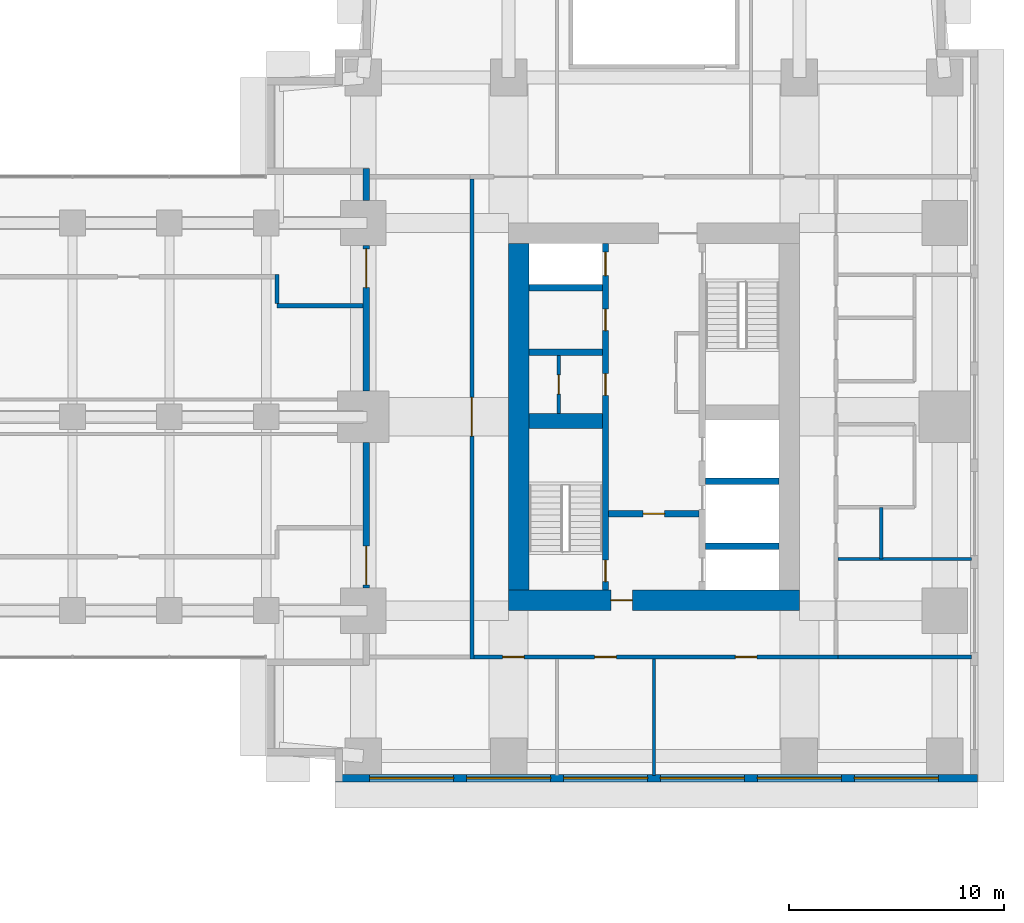
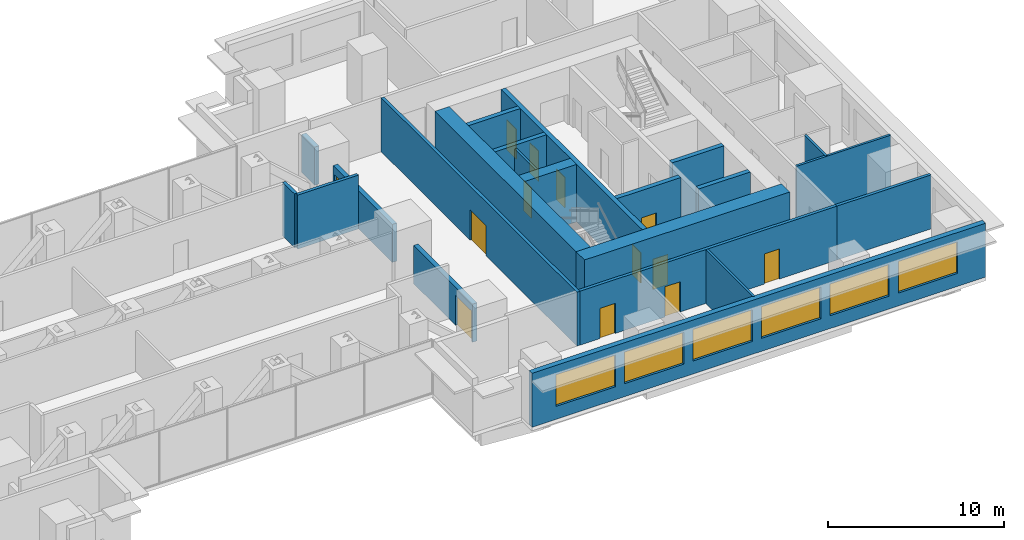
# One storey, part 10 of 14: 22 walls, 13 doors, 6 windows, 19 openings.
"""IFC4 building model written with IfcOpenShell, lengths in metres."""

from ifc_helpers import new_model, si_unit, direction, frame, frame_2d, origin, place, context, subcontext, project, spatial, rectangle, extrude, material, layer, layer_set, type_object, element, fill, save


model = new_model("IFC4")

# Units and contexts
model_context = context("Model", 3, precision=1e-05, world=origin(), true_north=direction((0.0, 1.0)))
body_context = subcontext(model_context, "Body", "Model", "MODEL_VIEW")
ifc_project = project(units=[si_unit("LENGTHUNIT", "METRE"), si_unit("AREAUNIT", "SQUARE_METRE"), si_unit("VOLUMEUNIT", "CUBIC_METRE"), si_unit("PLANEANGLEUNIT", "RADIAN"), si_unit("MASSUNIT", "GRAM", prefix="KILO")], contexts=[model_context])

# Site, building, storey
site_placement = place(None, origin())
site = spatial("IfcSite", under=ifc_project, at=site_placement, CompositionType="ELEMENT")
building_placement = place(site_placement, origin())
building = spatial("IfcBuilding", under=site, at=building_placement, Name="Namib Vertical Campus", CompositionType="ELEMENT")
storey_placement = place(building_placement, frame((0.0, 0.0, 133.0)))
storey = spatial("IfcBuildingStorey", under=building, at=storey_placement, Name="L31", CompositionType="ELEMENT", Elevation=133.0)

# Wall, openings, doors
ifc_material_1 = material(Name="Concrete C60/75", Category="concrete")
ifc_layer_1 = layer(ifc_material_1, 0.300048828125)
ifc_layer_set_1 = layer_set([ifc_layer_1], Name="Concrete C60/75")
wall_type_1 = type_object("IfcWallType", Name="Core inner wall 300", PredefinedType="SHEAR", material=ifc_layer_set_1)
wall_1_placement = place(storey_placement, frame((78.75, 12.199951171875, 0.0), z_axis=(0.0, 0.0, 1.0), x_axis=(0.0, 1.0, 0.0)))
wall_1 = element("IfcWall", 1, at=wall_1_placement, inside=storey, type_object=wall_type_1, Name="Core inner wall B L31 W1", PredefinedType="SHEAR", context=body_context, shape_type="SweptSolid", body=[
    extrude(rectangle(XDim=16.10009765625, YDim=0.300048828125, at=frame_2d((8.050048828125, 0.0))), origin(), (0.0, 0.0, 1.0), 4.0),
])
opening_1_placement = place(wall_1_placement, frame((0.39990234375, 0.0, 0.0)))
opening_1 = element("IfcOpeningElement", 2, at=opening_1_placement, cuts=wall_1, Name="Opening FD1", PredefinedType="OPENING", context=body_context, shape_type="SweptSolid", body=[
    extrude(rectangle(XDim=1.0, YDim=2.10009765625, at=frame_2d((0.5, 1.050048828125))), frame((0.0, 0.159912109375, 0.0), z_axis=(0.0, -1.0, 0.0), x_axis=(1.0, 0.0, 0.0)), (0.0, 0.0, 1.0), 0.320068359375),
])
opening_2_placement = place(wall_1_placement, frame((14.60009765625, 0.0, 0.0)))
opening_2 = element("IfcOpeningElement", 3, at=opening_2_placement, cuts=wall_1, Name="Opening LD1", PredefinedType="OPENING", context=body_context, shape_type="SweptSolid", body=[
    extrude(rectangle(XDim=1.10009765625, YDim=2.10009765625, at=frame_2d((0.550048828125, 1.050048828125))), frame((0.0, 0.159912109375, 0.0), z_axis=(0.0, -1.0, 0.0), x_axis=(1.0, 0.0, 0.0)), (0.0, 0.0, 1.0), 0.320068359375),
])
opening_3_placement = place(wall_1_placement, frame((9.050048828125, 0.0, 0.0)))
opening_3 = element("IfcOpeningElement", 4, at=opening_3_placement, cuts=wall_1, Name="Opening D1", PredefinedType="OPENING", context=body_context, shape_type="SweptSolid", body=[
    extrude(rectangle(XDim=1.0, YDim=2.10009765625, at=frame_2d((0.5, 1.050048828125))), frame((0.0, 0.159912109375, 0.0), z_axis=(0.0, -1.0, 0.0), x_axis=(1.0, 0.0, 0.0)), (0.0, 0.0, 1.0), 0.320068359375),
])
opening_4_placement = place(wall_1_placement, frame((12.050048828125, 0.0, 0.0)))
opening_4 = element("IfcOpeningElement", 5, at=opening_4_placement, cuts=wall_1, Name="Opening D1", PredefinedType="OPENING", context=body_context, shape_type="SweptSolid", body=[
    extrude(rectangle(XDim=1.0, YDim=2.10009765625, at=frame_2d((0.5, 1.050048828125))), frame((0.0, 0.159912109375, 0.0), z_axis=(0.0, -1.0, 0.0), x_axis=(1.0, 0.0, 0.0)), (0.0, 0.0, 1.0), 0.320068359375),
])
ifc_material_2 = material(Name="Timber door leaf", Category="wood")
door_type_1 = type_object("IfcDoorType", Name="Door single 1000x2100", OperationType="SINGLE_SWING_LEFT", PredefinedType="DOOR", material=ifc_material_2)
door_1_placement = place(opening_3_placement, origin())
door_1 = element("IfcDoor", 6, at=door_1_placement, inside=storey, type_object=door_type_1, Name="Door D1 Records store B L31 P1", OperationType="SINGLE_SWING_LEFT", OverallHeight=2.10009765625, OverallWidth=1.0, PredefinedType="DOOR", context=body_context, shape_type="SweptSolid", body=[
    extrude(rectangle(XDim=1.0, YDim=2.10009765625, at=frame_2d((0.5, 1.050048828125))), frame((0.0, 0.02490234375, 0.0), z_axis=(0.0, -1.0, 0.0), x_axis=(1.0, 0.0, 0.0)), (0.0, 0.0, 1.0), 0.050048828125),
])
fill(opening_3, door_1)
door_2_placement = place(opening_4_placement, origin())
door_2 = element("IfcDoor", 7, at=door_2_placement, inside=storey, type_object=door_type_1, Name="Door D1 Staff pantry B L31 P2", OperationType="SINGLE_SWING_LEFT", OverallHeight=2.10009765625, OverallWidth=1.0, PredefinedType="DOOR", context=body_context, shape_type="SweptSolid", body=[
    extrude(rectangle(XDim=1.0, YDim=2.10009765625, at=frame_2d((0.5, 1.050048828125))), frame((0.0, 0.02490234375, 0.0), z_axis=(0.0, -1.0, 0.0), x_axis=(1.0, 0.0, 0.0)), (0.0, 0.0, 1.0), 0.050048828125),
])
fill(opening_4, door_2)
ifc_material_3 = material(Name="Steel fire door", Category="steel")
door_type_2 = type_object("IfcDoorType", Name="Fire door 1000x2100", OperationType="SINGLE_SWING_RIGHT", PredefinedType="DOOR", material=ifc_material_3)
door_3_placement = place(opening_1_placement, origin())
door_3 = element("IfcDoor", 8, at=door_3_placement, inside=storey, type_object=door_type_2, Name="Stair door FD1 B L31 S1", OperationType="SINGLE_SWING_LEFT", OverallHeight=2.10009765625, OverallWidth=1.0, PredefinedType="DOOR", context=body_context, shape_type="SweptSolid", body=[
    extrude(rectangle(XDim=1.0, YDim=2.10009765625, at=frame_2d((0.5, 1.050048828125))), frame((0.0, 0.02490234375, 0.0), z_axis=(0.0, -1.0, 0.0), x_axis=(1.0, 0.0, 0.0)), (0.0, 0.0, 1.0), 0.050048828125),
])
fill(opening_1, door_3)
ifc_material_4 = material(Name="Stainless steel lift door", Category="steel")
door_type_3 = type_object("IfcDoorType", Name="Lift landing door 1100x2100", OperationType="DOUBLE_DOOR_SLIDING", PredefinedType="DOOR", material=ifc_material_4)
door_4_placement = place(opening_2_placement, origin())
door_4 = element("IfcDoor", 9, at=door_4_placement, inside=storey, type_object=door_type_3, Name="Lift landing door LD1 B-P3 L31", OperationType="DOUBLE_DOOR_SLIDING", OverallHeight=2.10009765625, OverallWidth=1.10009765625, PredefinedType="DOOR", context=body_context, shape_type="SweptSolid", body=[
    extrude(rectangle(XDim=1.10009765625, YDim=2.10009765625, at=frame_2d((0.550048828125, 1.050048828125))), frame((0.0, 0.02490234375, 0.0), z_axis=(0.0, -1.0, 0.0), x_axis=(1.0, 0.0, 0.0)), (0.0, 0.0, 1.0), 0.050048828125),
])
fill(opening_2, door_4)

# Wall, opening, door
wall_2_placement = place(storey_placement, frame((78.89990234375, 15.75, 0.0), z_axis=(0.0, 0.0, 1.0), x_axis=(1.0, 0.0, 0.0)))
wall_2 = element("IfcWall", 10, at=wall_2_placement, inside=storey, type_object=wall_type_1, Name="Core inner wall B L31 W4", PredefinedType="SHEAR", context=body_context, shape_type="SweptSolid", body=[
    extrude(rectangle(XDim=4.2001953125, YDim=0.300048828125, at=frame_2d((2.10009765625, 0.0))), origin(), (0.0, 0.0, 1.0), 4.0),
])
opening_5_placement = place(wall_2_placement, frame((1.60009765625, 0.0, 0.0)))
opening_5 = element("IfcOpeningElement", 11, at=opening_5_placement, cuts=wall_2, Name="Opening FD5", PredefinedType="OPENING", context=body_context, shape_type="SweptSolid", body=[
    extrude(rectangle(XDim=1.0, YDim=2.10009765625, at=frame_2d((0.5, 1.050048828125))), frame((0.0, 0.159912109375, 0.0), z_axis=(0.0, -1.0, 0.0), x_axis=(1.0, 0.0, 0.0)), (0.0, 0.0, 1.0), 0.320068359375),
])
ifc_material_5 = material(Name="Steel fire door", Category="steel")
door_type_4 = type_object("IfcDoorType", Name="Fire door 1000x2100 120 min", OperationType="SINGLE_SWING_RIGHT", PredefinedType="DOOR", material=ifc_material_5)
door_5_placement = place(opening_5_placement, frame((1.0, 0.0, 0.0), z_axis=(0.0, 0.0, 1.0), x_axis=(-1.0, 0.0, 0.0)))
door_5 = element("IfcDoor", 12, at=door_5_placement, inside=storey, type_object=door_type_4, Name="Lobby door FD5 B L31", OperationType="SINGLE_SWING_RIGHT", OverallHeight=2.10009765625, OverallWidth=1.0, PredefinedType="DOOR", context=body_context, shape_type="SweptSolid", body=[
    extrude(rectangle(XDim=1.0, YDim=2.10009765625, at=frame_2d((0.5, 1.050048828125))), frame((0.0, 0.02490234375, 0.0), z_axis=(0.0, -1.0, 0.0), x_axis=(1.0, 0.0, 0.0)), (0.0, 0.0, 1.0), 0.050048828125),
])
fill(opening_5, door_5)

# Walls
for number, where, z_axis, x_axis, name in (
    (13, (83.39990234375, 14.25, 0.0), (0.0, 0.0, 1.0), (1.0, 0.0, 0.0), "Core inner wall B L31 W5"),
    (14, (83.39990234375, 17.25, 0.0), (0.0, 0.0, 1.0), (1.0, 0.0, 0.0), "Core inner wall B L31 W6"),
    (15, (75.199951171875, 23.25, 0.0), (0.0, 0.0, 1.0), (1.0, 0.0, 0.0), "Core inner wall B L31 W8"),
    (16, (75.199951171875, 26.25, 0.0), (0.0, 0.0, 1.0), (1.0, 0.0, 0.0), "Core inner wall B L31 W9"),
):
    element("IfcWall", number, at=place(storey_placement, frame(where, z_axis=z_axis, x_axis=x_axis)), inside=storey, type_object=wall_type_1, Name=name, PredefinedType="SHEAR", context=body_context, shape_type="SweptSolid", body=[
        extrude(rectangle(XDim=3.400146484375, YDim=0.300048828125, at=frame_2d((1.7001953125, 0.0))), origin(), (0.0, 0.0, 1.0), 4.0),
    ])
ifc_material_6 = material(Name="Concrete C60/75", Category="concrete")
ifc_layer_2 = layer(ifc_material_6, 0.699951171875)
ifc_layer_set_2 = layer_set([ifc_layer_2], Name="Concrete C60/75")
wall_type_2 = type_object("IfcWallType", Name="Core shear wall 700", PredefinedType="SHEAR", material=ifc_layer_set_2)
wall_3_placement = place(storey_placement, frame((75.199951171875, 20.050048828125, 0.0), z_axis=(0.0, 0.0, 1.0), x_axis=(1.0, 0.0, 0.0)))
element("IfcWall", 17, at=wall_3_placement, inside=storey, type_object=wall_type_2, Name="Core shear wall B L31 W3", PredefinedType="SHEAR", context=body_context, shape_type="SweptSolid", body=[
    extrude(rectangle(XDim=3.400146484375, YDim=0.699951171875, at=frame_2d((1.7001953125, 0.0))), origin(), (0.0, 0.0, 1.0), 4.0),
])

# Wall, opening, door
ifc_material_7 = material(Name="Concrete C60/75", Category="concrete")
ifc_layer_3 = layer(ifc_material_7, 0.949951171875)
ifc_layer_set_3 = layer_set([ifc_layer_3], Name="Concrete C60/75")
wall_type_3 = type_object("IfcWallType", Name="Core wall 950", PredefinedType="SHEAR", material=ifc_layer_set_3)
wall_4_placement = place(storey_placement, frame((74.25, 11.72509765625, 0.0), z_axis=(0.0, 0.0, 1.0), x_axis=(1.0, 0.0, 0.0)))
wall_4 = element("IfcWall", 18, at=wall_4_placement, inside=storey, type_object=wall_type_3, Name="Core wall B L31 1", PredefinedType="SHEAR", context=body_context, shape_type="SweptSolid", body=[
    extrude(rectangle(XDim=13.5, YDim=0.949951171875, at=frame_2d((6.75, 0.0))), origin(), (0.0, 0.0, 1.0), 4.0),
])
opening_6_placement = place(wall_4_placement, frame((4.75, 0.0, 0.0)))
opening_6 = element("IfcOpeningElement", 19, at=opening_6_placement, cuts=wall_4, Name="Opening FD5", PredefinedType="OPENING", context=body_context, shape_type="SweptSolid", body=[
    extrude(rectangle(XDim=1.0, YDim=2.10009765625, at=frame_2d((0.5, 1.050048828125))), frame((0.0, 0.48486328125, 0.0), z_axis=(0.0, -1.0, 0.0), x_axis=(1.0, 0.0, 0.0)), (0.0, 0.0, 1.0), 0.969970703125),
])
door_6_placement = place(opening_6_placement, origin())
door_6 = element("IfcDoor", 20, at=door_6_placement, inside=storey, type_object=door_type_4, Name="Firefighting lobby door FD5 B L31", OperationType="SINGLE_SWING_LEFT", OverallHeight=2.10009765625, OverallWidth=1.0, PredefinedType="DOOR", context=body_context, shape_type="SweptSolid", body=[
    extrude(rectangle(XDim=1.0, YDim=2.10009765625, at=frame_2d((0.5, 1.050048828125))), frame((0.0, 0.02490234375, 0.0), z_axis=(0.0, -1.0, 0.0), x_axis=(1.0, 0.0, 0.0)), (0.0, 0.0, 1.0), 0.050048828125),
])
fill(opening_6, door_6)

# Wall
wall_5_placement = place(storey_placement, frame((74.72509765625, 28.300048828125, 0.0), z_axis=(0.0, 0.0, 1.0), x_axis=(0.0, -1.0, 0.0)))
element("IfcWall", 21, at=wall_5_placement, inside=storey, type_object=wall_type_3, Name="Core wall B L31 4", PredefinedType="SHEAR", context=body_context, shape_type="SweptSolid", body=[
    extrude(rectangle(XDim=16.10009765625, YDim=0.949951171875, at=frame_2d((8.050048828125, 0.0))), origin(), (0.0, 0.0, 1.0), 4.0),
])

# Wall, openings, doors
ifc_material_8 = material(Name="Concrete masonry", Category="masonry")
ifc_layer_4 = layer(ifc_material_8, 0.199951171875)
ifc_layer_set_4 = layer_set([ifc_layer_4], Name="Corridor wall 200")
wall_type_4 = type_object("IfcWallType", Name="Corridor wall 200", PredefinedType="SOLIDWALL", material=ifc_layer_set_4)
wall_6_placement = place(storey_placement, frame((72.64990234375, 9.10009765625, 0.0), z_axis=(0.0, 0.0, 1.0), x_axis=(1.0, 0.0, 0.0)))
wall_6 = element("IfcWall", 22, at=wall_6_placement, inside=storey, type_object=wall_type_4, Name="Corridor wall B L31 CS", PredefinedType="SOLIDWALL", context=body_context, shape_type="SweptSolid", body=[
    extrude(rectangle(XDim=16.900146484375, YDim=0.199951171875, at=frame_2d((8.4501953125, 0.0))), origin(), (0.0, 0.0, 1.0), 3.75),
])
opening_7_placement = place(wall_6_placement, frame((1.324951171875, 0.0, 0.0)))
opening_7 = element("IfcOpeningElement", 23, at=opening_7_placement, cuts=wall_6, Name="Opening CD1", PredefinedType="OPENING", context=body_context, shape_type="SweptSolid", body=[
    extrude(rectangle(XDim=1.0, YDim=2.10009765625, at=frame_2d((0.5, 1.050048828125))), frame((0.0, 0.10986328125, 0.0), z_axis=(0.0, -1.0, 0.0), x_axis=(1.0, 0.0, 0.0)), (0.0, 0.0, 1.0), 0.219970703125),
])
opening_8_placement = place(wall_6_placement, frame((5.60009765625, 0.0, 0.0)))
opening_8 = element("IfcOpeningElement", 24, at=opening_8_placement, cuts=wall_6, Name="Opening CD1", PredefinedType="OPENING", context=body_context, shape_type="SweptSolid", body=[
    extrude(rectangle(XDim=1.0, YDim=2.10009765625, at=frame_2d((0.5, 1.050048828125))), frame((0.0, 0.10986328125, 0.0), z_axis=(0.0, -1.0, 0.0), x_axis=(1.0, 0.0, 0.0)), (0.0, 0.0, 1.0), 0.219970703125),
])
opening_9_placement = place(wall_6_placement, frame((12.125, 0.0, 0.0)))
opening_9 = element("IfcOpeningElement", 25, at=opening_9_placement, cuts=wall_6, Name="Opening CD1", PredefinedType="OPENING", context=body_context, shape_type="SweptSolid", body=[
    extrude(rectangle(XDim=1.0, YDim=2.10009765625, at=frame_2d((0.5, 1.050048828125))), frame((0.0, 0.10986328125, 0.0), z_axis=(0.0, -1.0, 0.0), x_axis=(1.0, 0.0, 0.0)), (0.0, 0.0, 1.0), 0.219970703125),
])
ifc_material_9 = material(Name="Timber fire door leaf", Category="wood")
door_type_5 = type_object("IfcDoorType", Name="Corridor door 1000x2100 20 min", OperationType="SINGLE_SWING_LEFT", PredefinedType="DOOR", material=ifc_material_9)
door_7_placement = place(opening_7_placement, frame((1.0, 0.0, 0.0), z_axis=(0.0, 0.0, 1.0), x_axis=(-1.0, 0.0, 0.0)))
door_7 = element("IfcDoor", 26, at=door_7_placement, inside=storey, type_object=door_type_5, Name="Door CD1 B31-01", OperationType="SINGLE_SWING_LEFT", OverallHeight=2.10009765625, OverallWidth=1.0, PredefinedType="DOOR", context=body_context, shape_type="SweptSolid", body=[
    extrude(rectangle(XDim=1.0, YDim=2.10009765625, at=frame_2d((0.5, 1.050048828125))), frame((0.0, 0.02490234375, 0.0), z_axis=(0.0, -1.0, 0.0), x_axis=(1.0, 0.0, 0.0)), (0.0, 0.0, 1.0), 0.050048828125),
])
fill(opening_7, door_7)
door_8_placement = place(opening_8_placement, frame((1.0, 0.0, 0.0), z_axis=(0.0, 0.0, 1.0), x_axis=(-1.0, 0.0, 0.0)))
door_8 = element("IfcDoor", 27, at=door_8_placement, inside=storey, type_object=door_type_5, Name="Door CD1 B31-02", OperationType="SINGLE_SWING_RIGHT", OverallHeight=2.10009765625, OverallWidth=1.0, PredefinedType="DOOR", context=body_context, shape_type="SweptSolid", body=[
    extrude(rectangle(XDim=1.0, YDim=2.10009765625, at=frame_2d((0.5, 1.050048828125))), frame((0.0, 0.02490234375, 0.0), z_axis=(0.0, -1.0, 0.0), x_axis=(1.0, 0.0, 0.0)), (0.0, 0.0, 1.0), 0.050048828125),
])
fill(opening_8, door_8)
door_9_placement = place(opening_9_placement, frame((1.0, 0.0, 0.0), z_axis=(0.0, 0.0, 1.0), x_axis=(-1.0, 0.0, 0.0)))
door_9 = element("IfcDoor", 28, at=door_9_placement, inside=storey, type_object=door_type_5, Name="Door CD1 B31-03", OperationType="SINGLE_SWING_RIGHT", OverallHeight=2.10009765625, OverallWidth=1.0, PredefinedType="DOOR", context=body_context, shape_type="SweptSolid", body=[
    extrude(rectangle(XDim=1.0, YDim=2.10009765625, at=frame_2d((0.5, 1.050048828125))), frame((0.0, 0.02490234375, 0.0), z_axis=(0.0, -1.0, 0.0), x_axis=(1.0, 0.0, 0.0)), (0.0, 0.0, 1.0), 0.050048828125),
])
fill(opening_9, door_9)

# Wall, opening, door
wall_7_placement = place(storey_placement, frame((72.550048828125, 31.300048828125, 0.0), z_axis=(0.0, 0.0, 1.0), x_axis=(0.0, -1.0, 0.0)))
wall_7 = element("IfcWall", 29, at=wall_7_placement, inside=storey, type_object=wall_type_4, Name="Corridor wall B L31 CW", PredefinedType="SOLIDWALL", context=body_context, shape_type="SweptSolid", body=[
    extrude(rectangle(XDim=22.300048828125, YDim=0.199951171875, at=frame_2d((11.14990234375, 0.0))), origin(), (0.0, 0.0, 1.0), 3.75),
])
opening_10_placement = place(wall_7_placement, frame((10.14990234375, 0.0, 0.0)))
opening_10 = element("IfcOpeningElement", 30, at=opening_10_placement, cuts=wall_7, Name="Opening FD2", PredefinedType="OPENING", context=body_context, shape_type="SweptSolid", body=[
    extrude(rectangle(XDim=1.800048828125, YDim=2.10009765625, at=frame_2d((0.89990234375, 1.050048828125))), frame((0.0, 0.10986328125, 0.0), z_axis=(0.0, -1.0, 0.0), x_axis=(1.0, 0.0, 0.0)), (0.0, 0.0, 1.0), 0.219970703125),
])
ifc_material_10 = material(Name="Steel fire door", Category="steel")
door_type_6 = type_object("IfcDoorType", Name="Fire door double 1800x2100", OperationType="DOUBLE_DOOR_SINGLE_SWING", PredefinedType="DOOR", material=ifc_material_10)
door_10_placement = place(opening_10_placement, origin())
door_10 = element("IfcDoor", 31, at=door_10_placement, inside=storey, type_object=door_type_6, Name="Door FD2 B31-14", OperationType="DOUBLE_DOOR_SINGLE_SWING", OverallHeight=2.10009765625, OverallWidth=1.800048828125, PredefinedType="DOOR", context=body_context, shape_type="SweptSolid", body=[
    extrude(rectangle(XDim=1.800048828125, YDim=2.10009765625, at=frame_2d((0.89990234375, 1.050048828125))), frame((0.0, 0.02490234375, 0.0), z_axis=(0.0, -1.0, 0.0), x_axis=(1.0, 0.0, 0.0)), (0.0, 0.0, 1.0), 0.050048828125),
])
fill(opening_10, door_10)

# Walls
wall_8_placement = place(storey_placement, frame((89.550048828125, 9.10009765625, 0.0), z_axis=(0.0, 0.0, 1.0), x_axis=(1.0, 0.0, 0.0)))
element("IfcWall", 32, at=wall_8_placement, inside=storey, type_object=wall_type_4, Name="Partition B L31 BSE", PredefinedType="SOLIDWALL", context=body_context, shape_type="SweptSolid", body=[
    extrude(rectangle(XDim=6.199951171875, YDim=0.199951171875, at=frame_2d((3.10009765625, 0.0))), origin(), (0.0, 0.0, 1.0), 3.75),
])
wall_9_placement = place(storey_placement, frame((63.5, 25.39990234375, 0.0), z_axis=(0.0, 0.0, 1.0), x_axis=(1.0, 0.0, 0.0)))
element("IfcWall", 33, at=wall_9_placement, inside=storey, type_object=wall_type_4, Name="Lobby wall L31 NE", PredefinedType="SOLIDWALL", context=body_context, shape_type="SweptSolid", body=[
    extrude(rectangle(XDim=4.0, YDim=0.199951171875, at=frame_2d((2.0, 0.0))), origin(), (0.0, 0.0, 1.0), 3.75),
])
wall_10_placement = place(storey_placement, frame((63.5, 26.85009765625, 0.0), z_axis=(0.0, 0.0, 1.0), x_axis=(0.0, -1.0, 0.0)))
element("IfcWall", 34, at=wall_10_placement, inside=storey, type_object=wall_type_4, Name="Lobby side wall L31 NE", PredefinedType="SOLIDWALL", context=body_context, shape_type="SweptSolid", body=[
    extrude(rectangle(XDim=1.35009765625, YDim=0.199951171875, at=frame_2d((0.675048828125, 0.0))), origin(), (0.0, 0.0, 1.0), 3.75),
])

# Wall, openings, windows
ifc_material_11 = material(Name="Concrete C40/50", Category="concrete")
ifc_layer_5 = layer(ifc_material_11, 0.35009765625)
ifc_layer_set_5 = layer_set([ifc_layer_5], Name="Concrete C40/50")
wall_type_5 = type_object("IfcWallType", Name="External wall 350 bush-hammered concrete", PredefinedType="STANDARD", material=ifc_layer_set_5)
wall_11_placement = place(storey_placement, frame((66.219970703125, 3.47509765625, 0.0), z_axis=(0.0, 0.0, 1.0), x_axis=(1.0, 0.0, 0.0)))
wall_11 = element("IfcWall", 35, at=wall_11_placement, inside=storey, type_object=wall_type_5, Name="External wall L31 F04", PredefinedType="STANDARD", context=body_context, shape_type="SweptSolid", body=[
    extrude(rectangle(XDim=29.81005859375, YDim=0.35009765625, at=frame_2d((14.905029296875, 0.0))), origin(), (0.0, 0.0, 1.0), 3.75),
])
opening_11_placement = place(wall_11_placement, frame((1.580078125, 0.0, 0.89990234375)))
opening_11 = element("IfcOpeningElement", 36, at=opening_11_placement, cuts=wall_11, Name="Opening W1", PredefinedType="OPENING", context=body_context, shape_type="SweptSolid", body=[
    extrude(rectangle(XDim=3.89990234375, YDim=2.199951171875, at=frame_2d((1.949951171875, 1.10009765625))), frame((0.0, 0.18505859375, 0.0), z_axis=(0.0, -1.0, 0.0), x_axis=(1.0, 0.0, 0.0)), (0.0, 0.0, 1.0), 0.3701171875),
])
opening_12_placement = place(wall_11_placement, frame((6.080078125, 0.0, 0.89990234375)))
opening_12 = element("IfcOpeningElement", 37, at=opening_12_placement, cuts=wall_11, Name="Opening W1", PredefinedType="OPENING", context=body_context, shape_type="SweptSolid", body=[
    extrude(rectangle(XDim=3.89990234375, YDim=2.199951171875, at=frame_2d((1.949951171875, 1.10009765625))), frame((0.0, 0.18505859375, 0.0), z_axis=(0.0, -1.0, 0.0), x_axis=(1.0, 0.0, 0.0)), (0.0, 0.0, 1.0), 0.3701171875),
])
opening_13_placement = place(wall_11_placement, frame((10.580078125, 0.0, 0.89990234375)))
opening_13 = element("IfcOpeningElement", 38, at=opening_13_placement, cuts=wall_11, Name="Opening W1", PredefinedType="OPENING", context=body_context, shape_type="SweptSolid", body=[
    extrude(rectangle(XDim=3.89990234375, YDim=2.199951171875, at=frame_2d((1.949951171875, 1.10009765625))), frame((0.0, 0.18505859375, 0.0), z_axis=(0.0, -1.0, 0.0), x_axis=(1.0, 0.0, 0.0)), (0.0, 0.0, 1.0), 0.3701171875),
])
opening_14_placement = place(wall_11_placement, frame((15.080078125, 0.0, 0.89990234375)))
opening_14 = element("IfcOpeningElement", 39, at=opening_14_placement, cuts=wall_11, Name="Opening W1", PredefinedType="OPENING", context=body_context, shape_type="SweptSolid", body=[
    extrude(rectangle(XDim=3.89990234375, YDim=2.199951171875, at=frame_2d((1.949951171875, 1.10009765625))), frame((0.0, 0.18505859375, 0.0), z_axis=(0.0, -1.0, 0.0), x_axis=(1.0, 0.0, 0.0)), (0.0, 0.0, 1.0), 0.3701171875),
])
opening_15_placement = place(wall_11_placement, frame((19.580078125, 0.0, 0.89990234375)))
opening_15 = element("IfcOpeningElement", 40, at=opening_15_placement, cuts=wall_11, Name="Opening W1", PredefinedType="OPENING", context=body_context, shape_type="SweptSolid", body=[
    extrude(rectangle(XDim=3.89990234375, YDim=2.199951171875, at=frame_2d((1.949951171875, 1.10009765625))), frame((0.0, 0.18505859375, 0.0), z_axis=(0.0, -1.0, 0.0), x_axis=(1.0, 0.0, 0.0)), (0.0, 0.0, 1.0), 0.3701171875),
])
opening_16_placement = place(wall_11_placement, frame((24.080078125, 0.0, 0.89990234375)))
opening_16 = element("IfcOpeningElement", 41, at=opening_16_placement, cuts=wall_11, Name="Opening W1", PredefinedType="OPENING", context=body_context, shape_type="SweptSolid", body=[
    extrude(rectangle(XDim=3.89990234375, YDim=2.199951171875, at=frame_2d((1.949951171875, 1.10009765625))), frame((0.0, 0.18505859375, 0.0), z_axis=(0.0, -1.0, 0.0), x_axis=(1.0, 0.0, 0.0)), (0.0, 0.0, 1.0), 0.3701171875),
])
ifc_material_12 = material(Name="Dark tinted glass in black aluminium frame", Category="aluminium")
window_type = type_object("IfcWindowType", Name="Ribbon window 3900x2200", PartitioningType="SINGLE_PANEL", PredefinedType="WINDOW", material=ifc_material_12)
window_1_placement = place(opening_11_placement, origin())
window_1 = element("IfcWindow", 42, at=window_1_placement, inside=storey, type_object=window_type, Name="Window W1 L31 F04-1", OverallHeight=2.199951171875, OverallWidth=3.89990234375, PartitioningType="SINGLE_PANEL", PredefinedType="WINDOW", context=body_context, shape_type="SweptSolid", body=[
    extrude(rectangle(XDim=3.89990234375, YDim=2.199951171875, at=frame_2d((1.949951171875, 1.10009765625))), frame((0.0, 0.030029296875, 0.0), z_axis=(0.0, -1.0, 0.0), x_axis=(1.0, 0.0, 0.0)), (0.0, 0.0, 1.0), 0.06005859375),
])
fill(opening_11, window_1)
window_2_placement = place(opening_12_placement, origin())
window_2 = element("IfcWindow", 43, at=window_2_placement, inside=storey, type_object=window_type, Name="Window W1 L31 F04-2", OverallHeight=2.199951171875, OverallWidth=3.89990234375, PartitioningType="SINGLE_PANEL", PredefinedType="WINDOW", context=body_context, shape_type="SweptSolid", body=[
    extrude(rectangle(XDim=3.89990234375, YDim=2.199951171875, at=frame_2d((1.949951171875, 1.10009765625))), frame((0.0, 0.030029296875, 0.0), z_axis=(0.0, -1.0, 0.0), x_axis=(1.0, 0.0, 0.0)), (0.0, 0.0, 1.0), 0.06005859375),
])
fill(opening_12, window_2)
window_3_placement = place(opening_13_placement, origin())
window_3 = element("IfcWindow", 44, at=window_3_placement, inside=storey, type_object=window_type, Name="Window W1 L31 F04-3", OverallHeight=2.199951171875, OverallWidth=3.89990234375, PartitioningType="SINGLE_PANEL", PredefinedType="WINDOW", context=body_context, shape_type="SweptSolid", body=[
    extrude(rectangle(XDim=3.89990234375, YDim=2.199951171875, at=frame_2d((1.949951171875, 1.10009765625))), frame((0.0, 0.030029296875, 0.0), z_axis=(0.0, -1.0, 0.0), x_axis=(1.0, 0.0, 0.0)), (0.0, 0.0, 1.0), 0.06005859375),
])
fill(opening_13, window_3)
window_4_placement = place(opening_14_placement, origin())
window_4 = element("IfcWindow", 45, at=window_4_placement, inside=storey, type_object=window_type, Name="Window W1 L31 F04-4", OverallHeight=2.199951171875, OverallWidth=3.89990234375, PartitioningType="SINGLE_PANEL", PredefinedType="WINDOW", context=body_context, shape_type="SweptSolid", body=[
    extrude(rectangle(XDim=3.89990234375, YDim=2.199951171875, at=frame_2d((1.949951171875, 1.10009765625))), frame((0.0, 0.030029296875, 0.0), z_axis=(0.0, -1.0, 0.0), x_axis=(1.0, 0.0, 0.0)), (0.0, 0.0, 1.0), 0.06005859375),
])
fill(opening_14, window_4)
window_5_placement = place(opening_15_placement, origin())
window_5 = element("IfcWindow", 46, at=window_5_placement, inside=storey, type_object=window_type, Name="Window W1 L31 F04-5", OverallHeight=2.199951171875, OverallWidth=3.89990234375, PartitioningType="SINGLE_PANEL", PredefinedType="WINDOW", context=body_context, shape_type="SweptSolid", body=[
    extrude(rectangle(XDim=3.89990234375, YDim=2.199951171875, at=frame_2d((1.949951171875, 1.10009765625))), frame((0.0, 0.030029296875, 0.0), z_axis=(0.0, -1.0, 0.0), x_axis=(1.0, 0.0, 0.0)), (0.0, 0.0, 1.0), 0.06005859375),
])
fill(opening_15, window_5)
window_6_placement = place(opening_16_placement, origin())
window_6 = element("IfcWindow", 47, at=window_6_placement, inside=storey, type_object=window_type, Name="Window W1 L31 F04-6", OverallHeight=2.199951171875, OverallWidth=3.89990234375, PartitioningType="SINGLE_PANEL", PredefinedType="WINDOW", context=body_context, shape_type="SweptSolid", body=[
    extrude(rectangle(XDim=3.89990234375, YDim=2.199951171875, at=frame_2d((1.949951171875, 1.10009765625))), frame((0.0, 0.030029296875, 0.0), z_axis=(0.0, -1.0, 0.0), x_axis=(1.0, 0.0, 0.0)), (0.0, 0.0, 1.0), 0.06005859375),
])
fill(opening_16, window_6)

# Wall
ifc_material_13 = material(Name="Concrete masonry", Category="masonry")
ifc_layer_6 = layer(ifc_material_13, 0.300048828125)
ifc_layer_set_6 = layer_set([ifc_layer_6], Name="Fire wall 300")
wall_type_6 = type_object("IfcWallType", Name="Fire wall 300", PredefinedType="SOLIDWALL", material=ifc_layer_set_6)
wall_12_placement = place(storey_placement, frame((67.64990234375, 31.780029296875, 0.0), z_axis=(0.0, 0.0, 1.0), x_axis=(0.0, -1.0, 0.0)))
element("IfcWall", 48, at=wall_12_placement, inside=storey, type_object=wall_type_6, Name="External wall L31 F15", PredefinedType="SOLIDWALL", context=body_context, shape_type="SweptSolid", body=[
    extrude(rectangle(XDim=1.47998046875, YDim=0.300048828125, at=frame_2d((0.739990234375, 0.0))), origin(), (0.0, 0.0, 1.0), 2.64990234375),
])

# Wall, opening, door
wall_13_placement = place(storey_placement, frame((67.64990234375, 28.199951171875, 0.0), z_axis=(0.0, 0.0, 1.0), x_axis=(0.0, -1.0, 0.0)))
wall_13 = element("IfcWall", 49, at=wall_13_placement, inside=storey, type_object=wall_type_6, Name="External wall L31 F15", PredefinedType="SOLIDWALL", context=body_context, shape_type="SweptSolid", body=[
    extrude(rectangle(XDim=6.75, YDim=0.300048828125, at=frame_2d((3.375, 0.0))), origin(), (0.0, 0.0, 1.0), 2.64990234375),
])
opening_17_placement = place(wall_13_placement, frame((0.14990234375, 0.0, 0.0)))
opening_17 = element("IfcOpeningElement", 50, at=opening_17_placement, cuts=wall_13, Name="Opening FD4", PredefinedType="OPENING", context=body_context, shape_type="SweptSolid", body=[
    extrude(rectangle(XDim=1.800048828125, YDim=2.10009765625, at=frame_2d((0.89990234375, 1.050048828125))), frame((0.0, 0.159912109375, 0.0), z_axis=(0.0, -1.0, 0.0), x_axis=(1.0, 0.0, 0.0)), (0.0, 0.0, 1.0), 0.320068359375),
])
ifc_material_14 = material(Name="Steel fire door", Category="steel")
door_type_7 = type_object("IfcDoorType", Name="Fire door double 1800x2100 120 min", OperationType="DOUBLE_DOOR_SINGLE_SWING", PredefinedType="DOOR", material=ifc_material_14)
door_11_placement = place(opening_17_placement, origin())
door_11 = element("IfcDoor", 51, at=door_11_placement, inside=storey, type_object=door_type_7, Name="Bridge fire door FD4 B L31 north", OperationType="DOUBLE_DOOR_SINGLE_SWING", OverallHeight=2.10009765625, OverallWidth=1.800048828125, PredefinedType="DOOR", context=body_context, shape_type="SweptSolid", body=[
    extrude(rectangle(XDim=1.800048828125, YDim=2.10009765625, at=frame_2d((0.89990234375, 1.050048828125))), frame((0.0, 0.02490234375, 0.0), z_axis=(0.0, -1.0, 0.0), x_axis=(1.0, 0.0, 0.0)), (0.0, 0.0, 1.0), 0.050048828125),
])
fill(opening_17, door_11)

wall_14_placement = place(storey_placement, frame((67.64990234375, 19.050048828125, 0.0), z_axis=(0.0, 0.0, 1.0), x_axis=(0.0, -1.0, 0.0)))
wall_14 = element("IfcWall", 52, at=wall_14_placement, inside=storey, type_object=wall_type_6, Name="External wall L31 F15", PredefinedType="SOLIDWALL", context=body_context, shape_type="SweptSolid", body=[
    extrude(rectangle(XDim=6.75, YDim=0.300048828125, at=frame_2d((3.375, 0.0))), origin(), (0.0, 0.0, 1.0), 2.64990234375),
])
opening_18_placement = place(wall_14_placement, frame((4.800048828125, 0.0, 0.0)))
opening_18 = element("IfcOpeningElement", 53, at=opening_18_placement, cuts=wall_14, Name="Opening FD4", PredefinedType="OPENING", context=body_context, shape_type="SweptSolid", body=[
    extrude(rectangle(XDim=1.800048828125, YDim=2.10009765625, at=frame_2d((0.89990234375, 1.050048828125))), frame((0.0, 0.159912109375, 0.0), z_axis=(0.0, -1.0, 0.0), x_axis=(1.0, 0.0, 0.0)), (0.0, 0.0, 1.0), 0.320068359375),
])
door_12_placement = place(opening_18_placement, origin())
door_12 = element("IfcDoor", 54, at=door_12_placement, inside=storey, type_object=door_type_7, Name="Bridge fire door FD4 B L31", OperationType="DOUBLE_DOOR_SINGLE_SWING", OverallHeight=2.10009765625, OverallWidth=1.800048828125, PredefinedType="DOOR", context=body_context, shape_type="SweptSolid", body=[
    extrude(rectangle(XDim=1.800048828125, YDim=2.10009765625, at=frame_2d((0.89990234375, 1.050048828125))), frame((0.0, 0.02490234375, 0.0), z_axis=(0.0, -1.0, 0.0), x_axis=(1.0, 0.0, 0.0)), (0.0, 0.0, 1.0), 0.050048828125),
])
fill(opening_18, door_12)

ifc_material_15 = material(Name="Gypsum board on steel studs", Category="steel")
ifc_layer_7 = layer(ifc_material_15, 0.14990234375)
ifc_layer_set_7 = layer_set([ifc_layer_7], Name="Gypsum board on steel studs")
wall_type_7 = type_object("IfcWallType", Name="Partition 150", PredefinedType="PARTITIONING", material=ifc_layer_set_7)
wall_15_placement = place(storey_placement, frame((76.574951171875, 20.39990234375, 0.0), z_axis=(0.0, 0.0, 1.0), x_axis=(0.0, 1.0, 0.0)))
wall_15 = element("IfcWall", 55, at=wall_15_placement, inside=storey, type_object=wall_type_7, Name="Partition B L31 Records store P1 back", PredefinedType="PARTITIONING", context=body_context, shape_type="SweptSolid", body=[
    extrude(rectangle(XDim=2.7001953125, YDim=0.14990234375, at=frame_2d((1.35009765625, 0.0))), origin(), (0.0, 0.0, 1.0), 3.75),
])
opening_19_placement = place(wall_15_placement, frame((0.89990234375, 0.0, 0.0)))
opening_19 = element("IfcOpeningElement", 56, at=opening_19_placement, cuts=wall_15, Name="Opening D3", PredefinedType="OPENING", context=body_context, shape_type="SweptSolid", body=[
    extrude(rectangle(XDim=0.89990234375, YDim=2.10009765625, at=frame_2d((0.449951171875, 1.050048828125))), frame((0.0, 0.0849609375, 0.0), z_axis=(0.0, -1.0, 0.0), x_axis=(1.0, 0.0, 0.0)), (0.0, 0.0, 1.0), 0.169921875),
])
ifc_material_16 = material(Name="Timber door leaf", Category="wood")
door_type_8 = type_object("IfcDoorType", Name="Toilet door 900x2100", OperationType="SINGLE_SWING_LEFT", PredefinedType="DOOR", material=ifc_material_16)
door_13_placement = place(opening_19_placement, origin())
door_13 = element("IfcDoor", 57, at=door_13_placement, inside=storey, type_object=door_type_8, Name="Door D3 Store B L31 P1", OperationType="SINGLE_SWING_LEFT", OverallHeight=2.10009765625, OverallWidth=0.89990234375, PredefinedType="DOOR", context=body_context, shape_type="SweptSolid", body=[
    extrude(rectangle(XDim=0.89990234375, YDim=2.10009765625, at=frame_2d((0.449951171875, 1.050048828125))), frame((0.0, 0.02490234375, 0.0), z_axis=(0.0, -1.0, 0.0), x_axis=(1.0, 0.0, 0.0)), (0.0, 0.0, 1.0), 0.050048828125),
])
fill(opening_19, door_13)

# Walls
wall_16_placement = place(storey_placement, frame((81.0, 3.60009765625, 0.0), z_axis=(0.0, 0.0, 1.0), x_axis=(0.0, 1.0, 0.0)))
element("IfcWall", 58, at=wall_16_placement, inside=storey, type_object=wall_type_7, Name="Partition B L31 PS2", PredefinedType="PARTITIONING", context=body_context, shape_type="SweptSolid", body=[
    extrude(rectangle(XDim=5.39990234375, YDim=0.14990234375, at=frame_2d((2.699951171875, 0.0))), origin(), (0.0, 0.0, 1.0), 3.75),
])
wall_17_placement = place(storey_placement, frame((89.550048828125, 13.64990234375, 0.0), z_axis=(0.0, 0.0, 1.0), x_axis=(1.0, 0.0, 0.0)))
element("IfcWall", 59, at=wall_17_placement, inside=storey, type_object=wall_type_7, Name="Partition B L31 PE1", PredefinedType="PARTITIONING", context=body_context, shape_type="SweptSolid", body=[
    extrude(rectangle(XDim=6.199951171875, YDim=0.14990234375, at=frame_2d((3.10009765625, 0.0))), origin(), (0.0, 0.0, 1.0), 3.75),
])
wall_18_placement = place(storey_placement, frame((91.550048828125, 13.64990234375, 0.0), z_axis=(0.0, 0.0, 1.0), x_axis=(0.0, 1.0, 0.0)))
element("IfcWall", 60, at=wall_18_placement, inside=storey, type_object=wall_type_7, Name="Partition B L31 WB1", PredefinedType="PARTITIONING", context=body_context, shape_type="SweptSolid", body=[
    extrude(rectangle(XDim=2.400146484375, YDim=0.14990234375, at=frame_2d((1.2001953125, 0.0))), origin(), (0.0, 0.0, 1.0), 3.75),
])

save(model, "model.ifc")
